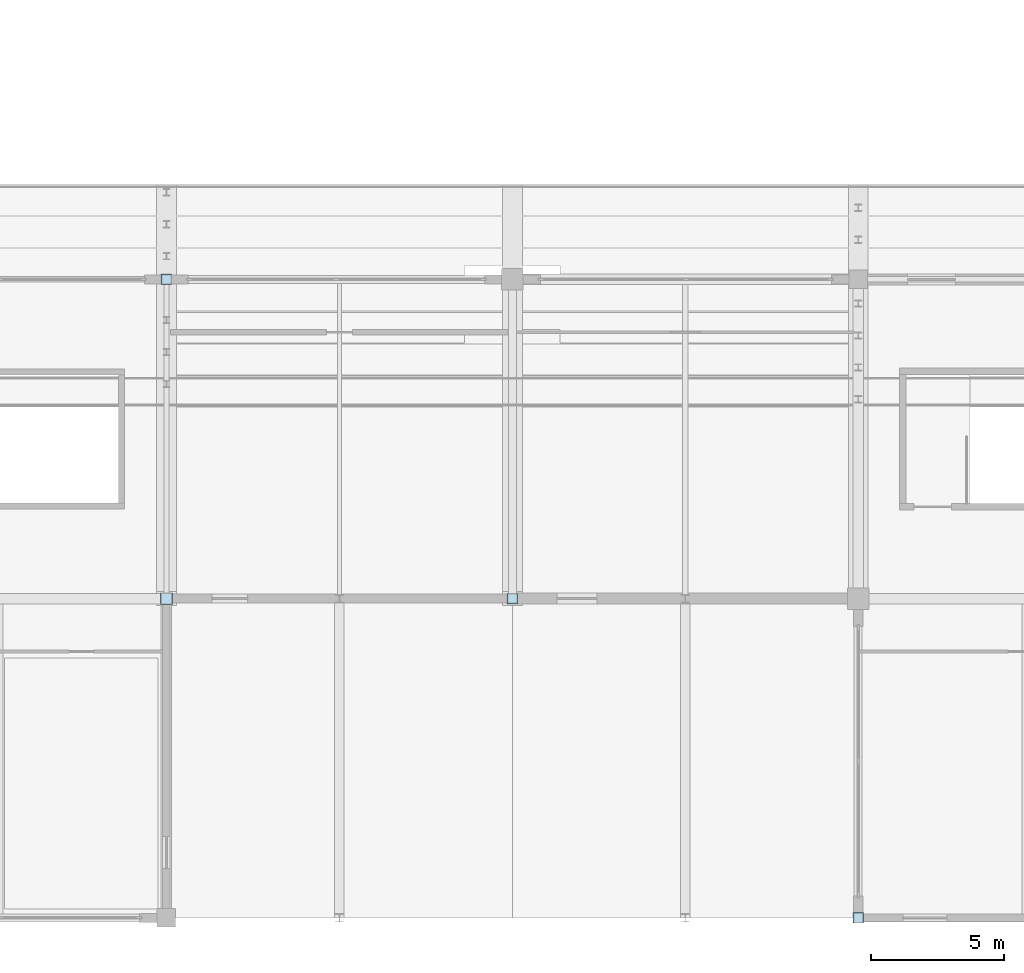
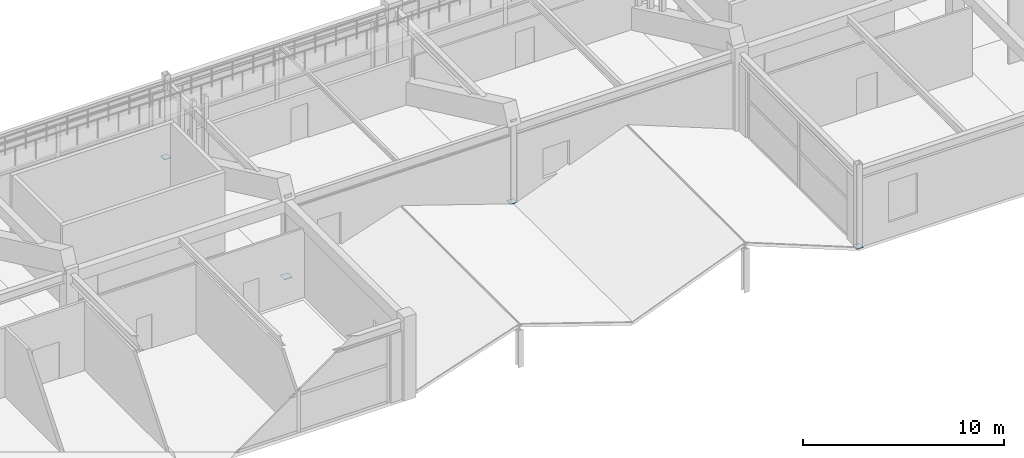
# One storey, part 77 of 128: 4 plates.
"""IFC4 building model written with IfcOpenShell, lengths in metres."""

from ifc_helpers import new_model, si_unit, direction, frame, origin, origin_2d, place, context, subcontext, project, spatial, rectangle, extrude, material, layer, layer_set, type_object, element, save


model = new_model("IFC4")

# Units and contexts
model_context = context("Model", 3, precision=1e-05, world=origin(), true_north=direction((0.0, 1.0)))
body_context = subcontext(model_context, "Body", "Model", "MODEL_VIEW")
ifc_project = project(units=[si_unit("LENGTHUNIT", "METRE"), si_unit("AREAUNIT", "SQUARE_METRE"), si_unit("VOLUMEUNIT", "CUBIC_METRE"), si_unit("PLANEANGLEUNIT", "RADIAN"), si_unit("MASSUNIT", "GRAM", prefix="KILO")], contexts=[model_context])

# Site, building, storey
site_placement = place(None, origin())
site = spatial("IfcSite", under=ifc_project, at=site_placement, CompositionType="ELEMENT")
building_placement = place(site_placement, origin())
building = spatial("IfcBuilding", under=site, at=building_placement, Name="Kazenohara Klinker Stadium", CompositionType="ELEMENT")
storey_placement = place(building_placement, frame((0.0, 0.0, 15.300048828125)))
storey = spatial("IfcBuildingStorey", under=building, at=storey_placement, Name="L03", CompositionType="ELEMENT", Elevation=15.300048828125)

# Plates
ifc_material = material(Name="Steel S355", Category="steel")
ifc_layer_1 = layer(ifc_material, 0.02001953125)
ifc_layer_set_1 = layer_set([ifc_layer_1], Name="Steel S355")
plate_type_1 = type_object("IfcPlateType", Name="PLT-GP01", PredefinedType="USERDEFINED", material=ifc_layer_set_1)
plate_1_placement = place(storey_placement, frame((125.0, 12.0, -0.010009765625), z_axis=(0.0, 0.0, 1.0), x_axis=(1.0, 0.0, 0.0)))
element("IfcPlate", 1, at=plate_1_placement, inside=storey, type_object=plate_type_1, Name="Hollow column end-cap plate GP01 L03 11/B", ObjectType="GUSSET PLATE", PredefinedType="USERDEFINED", context=body_context, shape_type="SweptSolid", body=[
    extrude(rectangle(XDim=0.389892578125, YDim=0.389892578125, at=origin_2d()), origin(), (0.0, 0.0, 1.0), 0.02001953125),
])
ifc_layer_2 = layer(ifc_material, 0.02490234375)
ifc_layer_set_2 = layer_set([ifc_layer_2], Name="Steel S355")
plate_type_2 = type_object("IfcPlateType", Name="PLT-GP04", PredefinedType="USERDEFINED", material=ifc_layer_set_2)
plate_2_placement = place(storey_placement, frame((99.0, 24.0, -0.012451171875), z_axis=(0.0, 0.0, 1.0), x_axis=(1.0, 0.0, 0.0)))
element("IfcPlate", 2, at=plate_2_placement, inside=storey, type_object=plate_type_2, Name="Hollow column end-cap plate GP04 L03 9/C", ObjectType="GUSSET PLATE", PredefinedType="USERDEFINED", context=body_context, shape_type="SweptSolid", body=[
    extrude(rectangle(XDim=0.43994140625, YDim=0.43994140625, at=origin_2d()), origin(), (0.0, 0.0, 1.0), 0.02490234375),
])
for number, where, z_axis, x_axis, name in (
    (3, (99.0, 36.0, -0.012451171875), (0.0, 0.0, 1.0), (1.0, 0.0, 0.0), "Hollow column end-cap plate GP04 L03 9/D"),
    (4, (112.0, 24.0, -0.012451171875), (0.0, 0.0, 1.0), (1.0, 0.0, 0.0), "Hollow column end-cap plate GP04 L03 10/C"),
):
    element("IfcPlate", number, at=place(storey_placement, frame(where, z_axis=z_axis, x_axis=x_axis)), inside=storey, type_object=plate_type_2, Name=name, ObjectType="GUSSET PLATE", PredefinedType="USERDEFINED", context=body_context, shape_type="SweptSolid", body=[
        extrude(rectangle(XDim=0.389892578125, YDim=0.389892578125, at=origin_2d()), origin(), (0.0, 0.0, 1.0), 0.02490234375),
    ])

save(model, "model.ifc")
